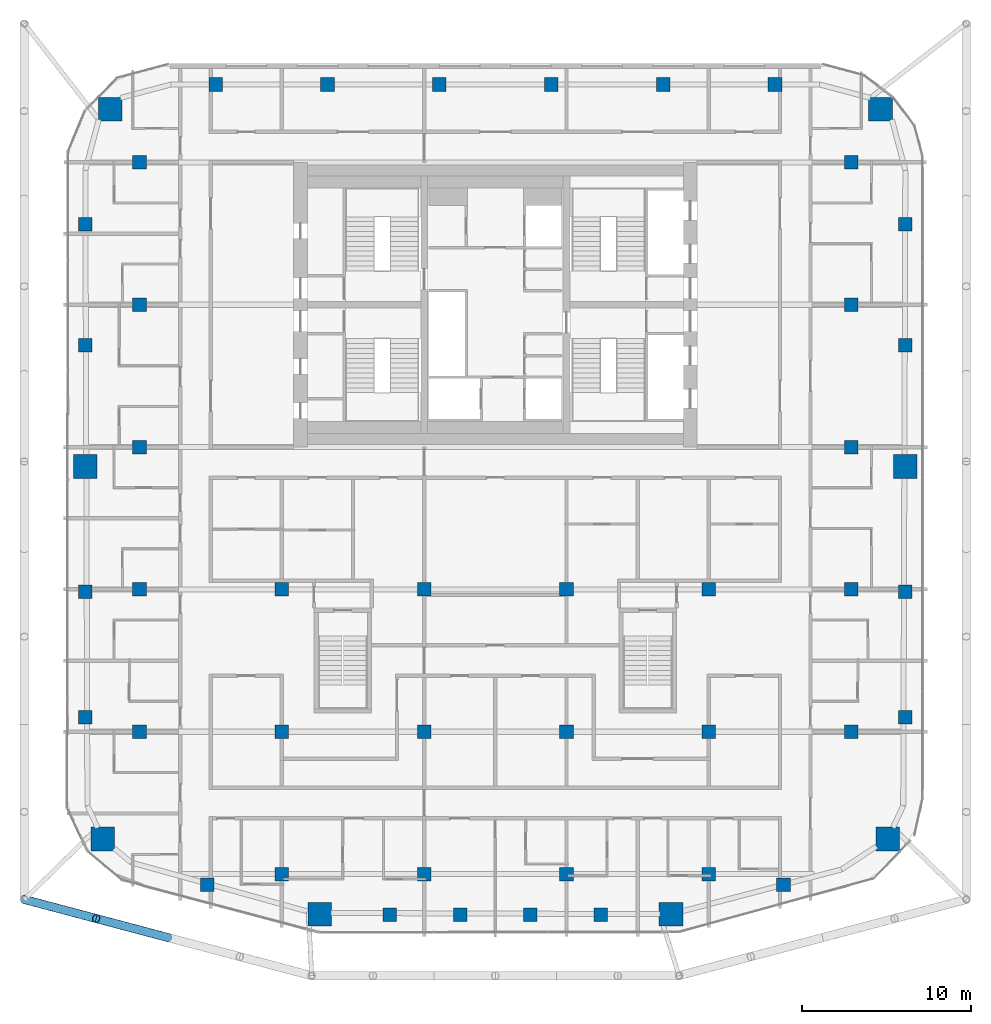
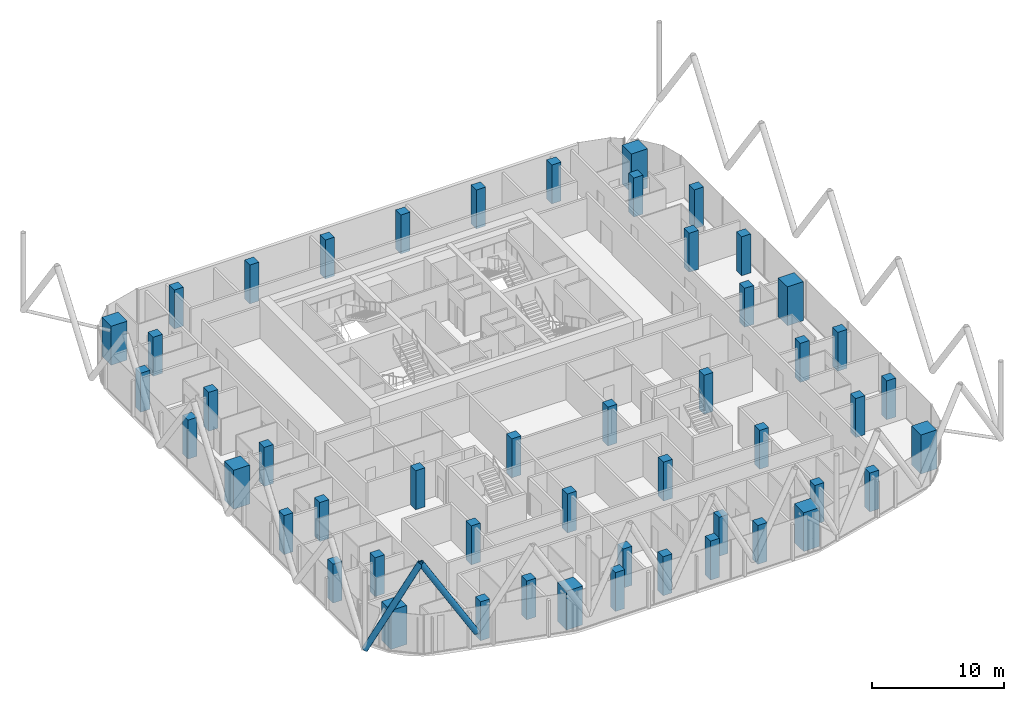
# One storey, part 1 of 28: 50 columns, 2 members.
"""IFC4 building model written with IfcOpenShell, lengths in metres."""

import ifcopenshell
import ifcopenshell.guid

model = None  # the IFC model being written
_history = None  # IfcOwnerHistory: only IFC2X3 demands one
_inside = {}  # id of a spatial element -> (the spatial element, [elements in it])
_under = {}  # id of a project, library or spatial element -> (it, [spatial elements below it])
_declared = {}  # id of a project -> (the project, [libraries it declares])
_typed = {}  # id of a type object -> (the type object, [elements of that type])
_made_of = {}  # id of a material, layer set ... -> (it, [elements and type objects made of it])


def new_model(schema):
    """Start an empty IFC model of exactly this schema.

    Asked for "IFC4X3", IfcOpenShell would pick the latest addendum, in which some entities
    have other attributes; the version numbers below select the first issue.
    IFC2X3 requires an IfcOwnerHistory on every rooted entity: one is made here for all.
    """
    global model, _history
    if schema == "IFC4X3":
        model = ifcopenshell.file(schema_version=(4, 3, 0, 0))
    else:
        model = ifcopenshell.file(schema=schema)
    _inside.clear()
    _under.clear()
    _declared.clear()
    _typed.clear()
    _made_of.clear()
    _history = None
    if model.schema == "IFC2X3":
        org = make("IfcOrganization", Name="unknown")
        user = make(
            "IfcPersonAndOrganization",
            ThePerson=make("IfcPerson", FamilyName="unknown"),
            TheOrganization=org,
        )
        app = make(
            "IfcApplication",
            ApplicationDeveloper=org,
            Version="unknown",
            ApplicationFullName="unknown",
            ApplicationIdentifier="unknown",
        )
        _history = make(
            "IfcOwnerHistory",
            OwningUser=user,
            OwningApplication=app,
            ChangeAction="ADDED",
            CreationDate=0,
        )
    return model


def make(cls, **values):
    """One entity of the class cls with the attributes given. An attribute that is None is left unset."""
    return model.create_entity(
        cls, **{name: value for name, value in values.items() if value is not None}
    )


def rooted(cls, **values):
    """An entity with a GlobalId (a new one), such as an element, a storey or a relation."""
    return make(cls, GlobalId=ifcopenshell.guid.new(), OwnerHistory=_history, **values)


def si_unit(unit_type, name, prefix=None):
    """IfcSIUnit, for example si_unit("LENGTHUNIT", "METRE", prefix="MILLI")."""
    return make("IfcSIUnit", UnitType=unit_type, Prefix=prefix, Name=name)


def assignment(units):
    """IfcUnitAssignment: the units of a project."""
    return None if units is None else make("IfcUnitAssignment", Units=units)


def point(xyz):
    """IfcCartesianPoint."""
    return None if xyz is None else make("IfcCartesianPoint", Coordinates=xyz)


def direction(xyz):
    """IfcDirection."""
    return None if xyz is None else make("IfcDirection", DirectionRatios=xyz)


def frame(location, z_axis=None, x_axis=None):
    """IfcAxis2Placement3D, a coordinate frame: its origin and axes. An axis left out is left unset."""
    return make(
        "IfcAxis2Placement3D",
        Location=point(location),
        Axis=direction(z_axis),
        RefDirection=direction(x_axis),
    )


def frame_2d(location, x_axis=None):
    """IfcAxis2Placement2D, a coordinate frame in the plane: its origin and x axis."""
    return make(
        "IfcAxis2Placement2D", Location=point(location), RefDirection=direction(x_axis)
    )


def origin():
    """The frame at (0, 0, 0) with its axes left unset."""
    return frame((0.0, 0.0, 0.0))


def origin_2d():
    """The frame at (0, 0) in the plane with its x axis left unset."""
    return frame_2d((0.0, 0.0))


def place(relative_to, where):
    """IfcLocalPlacement: puts the frame where relative to a parent placement (None: the world)."""
    return make(
        "IfcLocalPlacement", PlacementRelTo=relative_to, RelativePlacement=where
    )


def context(
    kind, dimensions, precision=None, world=None, true_north=None, identifier=None
):
    """IfcGeometricRepresentationContext, for example the 3D "Model" context."""
    return make(
        "IfcGeometricRepresentationContext",
        ContextIdentifier=identifier,
        ContextType=kind,
        CoordinateSpaceDimension=dimensions,
        Precision=precision,
        WorldCoordinateSystem=world,
        TrueNorth=true_north,
    )


def subcontext(parent, identifier, kind, view, scale=None):
    """IfcGeometricRepresentationSubContext, for example "Body" below "Model"."""
    return make(
        "IfcGeometricRepresentationSubContext",
        ContextIdentifier=identifier,
        ContextType=kind,
        ParentContext=parent,
        TargetScale=scale,
        TargetView=view,
    )


def project(units=None, contexts=None):
    """IfcProject with its units and contexts."""
    return rooted(
        "IfcProject",
        Name="project",
        RepresentationContexts=contexts,
        UnitsInContext=assignment(units),
    )


def spatial(cls, under=None, at=None, **own):
    """A site, building, storey or space (cls), placed at a placement, below another one or the project."""
    s = rooted(cls, ObjectPlacement=at, **own)
    if under is not None:
        _under.setdefault(under.id(), (under, []))[1].append(s)
    return s


def profile(cls, at=None, kind="AREA", **sizes):
    """A parametric profile (cls). Its sizes go by their IFC names, for example OverallWidth=200.0."""
    return make(cls, ProfileType=kind, Position=at, **sizes)


def rectangle(**sizes):
    """IfcRectangleProfileDef."""
    return profile("IfcRectangleProfileDef", **sizes)


def hollow_circle(**sizes):
    """IfcCircleHollowProfileDef."""
    return profile("IfcCircleHollowProfileDef", **sizes)


def extrude(swept, where, along, depth):
    """IfcExtrudedAreaSolid: the profile swept, set in the frame where, extruded along a direction by depth."""
    return make(
        "IfcExtrudedAreaSolid",
        SweptArea=swept,
        Position=where,
        ExtrudedDirection=direction(along),
        Depth=depth,
    )


def shape(context_of_items, identifier, shape_type, items):
    """IfcShapeRepresentation: the items that make up one representation, for example the "Body"."""
    return make(
        "IfcShapeRepresentation",
        ContextOfItems=context_of_items,
        RepresentationIdentifier=identifier,
        RepresentationType=shape_type,
        Items=items,
    )


def material(Name=None, Category=None):
    """IfcMaterial."""
    return make("IfcMaterial", Name=Name, Category=Category)


def material_profile(
    of_material, cross_section, Name=None, Category=None, Priority=None
):
    """IfcMaterialProfile: a cross section and its material."""
    return make(
        "IfcMaterialProfile",
        Name=Name,
        Material=of_material,
        Profile=cross_section,
        Priority=Priority,
        Category=Category,
    )


def profile_set(profiles, Name=None, composite=None):
    """IfcMaterialProfileSet."""
    return make(
        "IfcMaterialProfileSet",
        Name=Name,
        MaterialProfiles=profiles,
        CompositeProfile=composite,
    )


def made_of(thing, what):
    """Note that an element or type object is made of a material, layer set ...; save() writes the relation."""
    if what is not None:
        _made_of.setdefault(what.id(), (what, []))[1].append(thing)
    return thing


def type_object(cls, material=None, **own):
    """A type object (cls), such as IfcWallType, which elements share."""
    return made_of(rooted(cls, **own), material)


def element(
    cls,
    number,
    at=None,
    inside=None,
    cuts=None,
    type_object=None,
    material=None,
    context=None,
    identifier="Body",
    shape_type=None,
    held_by="IfcProductDefinitionShape",
    body=None,
    shapes=None,
    **own,
):
    """One element of the class cls, such as IfcWall. Its Tag is "e" and its number.

    at: its placement. inside: the storey or other place that contains it. cuts: it is an
    opening in that element (IfcRelVoidsElement). A single representation is given by context,
    identifier, shape_type and body (its items); several are given by shapes. held_by: the class
    of the entity that holds the representations. save() writes the other relations.
    """
    e = rooted(cls, Tag="e%d" % number, ObjectPlacement=at, **own)
    if body is not None:
        shapes = [shape(context, identifier, shape_type, body)]
    if shapes is not None:
        e.Representation = make(held_by, Representations=shapes)
    if inside is not None:
        _inside.setdefault(inside.id(), (inside, []))[1].append(e)
    if cuts is not None:
        rooted(
            "IfcRelVoidsElement", RelatingBuildingElement=cuts, RelatedOpeningElement=e
        )
    if type_object is not None:
        _typed.setdefault(type_object.id(), (type_object, []))[1].append(e)
    return made_of(e, material)


def aggregate(whole, parts):
    """IfcRelAggregates: a whole, such as a stair, and the parts it consists of."""
    return rooted("IfcRelAggregates", RelatingObject=whole, RelatedObjects=parts)


def save(model, path):
    """Write the relations noted so far, then the file.

    IfcRelAggregates (storeys below a building ...), IfcRelContainedInSpatialStructure (elements
    in a storey), IfcRelDefinesByType, IfcRelAssociatesMaterial and IfcRelDeclares: one each for
    every whole, place, type object, material and project.
    """
    for whole, parts in _under.values():
        aggregate(whole, parts)
    for where, things in _inside.values():
        rooted(
            "IfcRelContainedInSpatialStructure",
            RelatedElements=things,
            RelatingStructure=where,
        )
    for kind, things in _typed.values():
        rooted("IfcRelDefinesByType", RelatedObjects=things, RelatingType=kind)
    for what, things in _made_of.values():
        rooted("IfcRelAssociatesMaterial", RelatedObjects=things, RelatingMaterial=what)
    for by, libraries in _declared.values():
        rooted("IfcRelDeclares", RelatingContext=by, RelatedDefinitions=libraries)
    model.write(path)


model = new_model("IFC4")

# Units and contexts
model_context = context("Model", 3, precision=1e-05, world=origin(), true_north=direction((0.0, 1.0)))
body_context = subcontext(model_context, "Body", "Model", "MODEL_VIEW")
ifc_project = project(units=[si_unit("LENGTHUNIT", "METRE"), si_unit("AREAUNIT", "SQUARE_METRE"), si_unit("VOLUMEUNIT", "CUBIC_METRE"), si_unit("PLANEANGLEUNIT", "RADIAN"), si_unit("MASSUNIT", "GRAM", prefix="KILO")], contexts=[model_context])

# Site, building, storey
site_placement = place(None, origin())
site = spatial("IfcSite", under=ifc_project, at=site_placement, CompositionType="ELEMENT")
building_placement = place(site_placement, origin())
building = spatial("IfcBuilding", under=site, at=building_placement, Name="Marenta Gate Hotel Tower", CompositionType="ELEMENT")
storey_placement = place(building_placement, frame((0.0, 0.0, 227.300048828125)))
storey = spatial("IfcBuildingStorey", under=building, at=storey_placement, Name="L53", CompositionType="ELEMENT", Elevation=227.300048828125)

# Columns
ifc_material_1 = material(Name="Concrete C60", Category="concrete")
ifc_material_profile_1 = material_profile(ifc_material_1, rectangle(XDim=0.800048828125, YDim=0.800048828125, at=origin_2d()), Name="800 x 800")
ifc_profile_set_1 = profile_set([ifc_material_profile_1], Name="Concrete C60")
column_type_1 = type_object("IfcColumnType", Name="Edge column 800 x 800 C60", PredefinedType="COLUMN", material=ifc_profile_set_1)
for number, where, z_axis, x_axis, name in (
    (1, (-24.199951171875, -15.951904296875, 0.0), (0.0, 0.0, 1.0), (1.0, 0.0, 0.0), "L53-EC-SW-W-1"),
    (2, (-24.199951171875, -8.55078125, 0.0), (0.0, 0.0, 1.0), (1.0, 0.0, 0.0), "L53-EC-SW-W-2"),
    (3, (-24.199951171875, 6.003173828125, 0.0), (0.0, 0.0, 1.0), (1.0, 0.0, 0.0), "L53-EC-W-NW-1"),
    (4, (-24.199951171875, 13.156494140625, 0.0), (0.0, 0.0, 1.0), (1.0, 0.0, 0.0), "L53-EC-W-NW-2"),
    (5, (-16.5068359375, 21.39990234375, 0.0), (0.0, 0.0, 1.0), (1.0, 0.0, 0.0), "L53-EC-NW-NE-1"),
    (6, (-9.904052734375, 21.39990234375, 0.0), (0.0, 0.0, 1.0), (1.0, 0.0, 0.0), "L53-EC-NW-NE-2"),
    (7, (-3.301513671875, 21.39990234375, 0.0), (0.0, 0.0, 1.0), (1.0, 0.0, 0.0), "L53-EC-NW-NE-3"),
    (8, (3.301513671875, 21.39990234375, 0.0), (0.0, 0.0, 1.0), (1.0, 0.0, 0.0), "L53-EC-NW-NE-4"),
    (9, (9.904052734375, 21.39990234375, 0.0), (0.0, 0.0, 1.0), (1.0, 0.0, 0.0), "L53-EC-NW-NE-5"),
    (10, (16.5068359375, 21.39990234375, 0.0), (0.0, 0.0, 1.0), (1.0, 0.0, 0.0), "L53-EC-NW-NE-6"),
    (11, (24.199951171875, 13.156494140625, 0.0), (0.0, 0.0, 1.0), (1.0, 0.0, 0.0), "L53-EC-NE-E-1"),
    (12, (24.199951171875, 6.003173828125, 0.0), (0.0, 0.0, 1.0), (1.0, 0.0, 0.0), "L53-EC-NE-E-2"),
    (13, (24.199951171875, -8.55078125, 0.0), (0.0, 0.0, 1.0), (1.0, 0.0, 0.0), "L53-EC-E-SE-1"),
    (14, (24.199951171875, -15.951904296875, 0.0), (0.0, 0.0, 1.0), (1.0, 0.0, 0.0), "L53-EC-E-SE-2"),
    (15, (17.0068359375, -25.839111328125, 0.0), (0.0, 0.0, 1.0), (1.0, 0.0, 0.0), "L53-EC-SE-SKE-1"),
    (16, (6.22021484375, -27.60009765625, 0.0), (0.0, 0.0, 1.0), (1.0, 0.0, 0.0), "L53-EC-SKE-SKW-1"),
    (17, (2.073486328125, -27.60009765625, 0.0), (0.0, 0.0, 1.0), (1.0, 0.0, 0.0), "L53-EC-SKE-SKW-2"),
    (18, (-2.073486328125, -27.60009765625, 0.0), (0.0, 0.0, 1.0), (1.0, 0.0, 0.0), "L53-EC-SKE-SKW-3"),
    (19, (-6.22021484375, -27.60009765625, 0.0), (0.0, 0.0, 1.0), (1.0, 0.0, 0.0), "L53-EC-SKE-SKW-4"),
    (20, (-17.0068359375, -25.839111328125, 0.0), (0.0, 0.0, 1.0), (1.0, 0.0, 0.0), "L53-EC-SKW-SW-1"),
):
    element("IfcColumn", number, at=place(storey_placement, frame(where, z_axis=z_axis, x_axis=x_axis)), inside=storey, type_object=column_type_1, Name=name, PredefinedType="COLUMN", context=body_context, shape_type="SweptSolid", body=[
        extrude(rectangle(XDim=0.800048828125, YDim=0.800048828125, at=origin_2d()), origin(), (0.0, 0.0, 1.0), 3.599853515625),
    ])
ifc_material_2 = material(Name="Concrete C60", Category="concrete")
ifc_material_profile_2 = material_profile(ifc_material_2, rectangle(XDim=0.800048828125, YDim=0.800048828125, at=origin_2d()), Name="800 x 800")
ifc_profile_set_2 = profile_set([ifc_material_profile_2], Name="Concrete C60")
column_type_2 = type_object("IfcColumnType", Name="Interior column 800 x 800 C60", PredefinedType="COLUMN", material=ifc_profile_set_2)
for number, where, z_axis, x_axis, name in (
    (21, (-21.0, -16.800048828125, 0.0), (0.0, 0.0, 1.0), (1.0, 0.0, 0.0), "L53-IC-4D"),
    (22, (-21.0, -8.39990234375, 0.0), (0.0, 0.0, 1.0), (1.0, 0.0, 0.0), "L53-IC-4E"),
    (23, (-21.0, 0.0, 0.0), (0.0, 0.0, 1.0), (1.0, 0.0, 0.0), "L53-IC-4F"),
    (24, (-21.0, 8.39990234375, 0.0), (0.0, 0.0, 1.0), (1.0, 0.0, 0.0), "L53-IC-4G"),
    (25, (-21.0, 16.800048828125, 0.0), (0.0, 0.0, 1.0), (1.0, 0.0, 0.0), "L53-IC-4H"),
    (26, (-12.60009765625, -25.199951171875, 0.0), (0.0, 0.0, 1.0), (1.0, 0.0, 0.0), "L53-IC-5C"),
    (27, (-12.60009765625, -16.800048828125, 0.0), (0.0, 0.0, 1.0), (1.0, 0.0, 0.0), "L53-IC-5D"),
    (28, (-12.60009765625, -8.39990234375, 0.0), (0.0, 0.0, 1.0), (1.0, 0.0, 0.0), "L53-IC-5E"),
    (29, (-4.199951171875, -25.199951171875, 0.0), (0.0, 0.0, 1.0), (1.0, 0.0, 0.0), "L53-IC-6C"),
    (30, (-4.199951171875, -16.800048828125, 0.0), (0.0, 0.0, 1.0), (1.0, 0.0, 0.0), "L53-IC-6D"),
    (31, (-4.199951171875, -8.39990234375, 0.0), (0.0, 0.0, 1.0), (1.0, 0.0, 0.0), "L53-IC-6E"),
    (32, (4.199951171875, -25.199951171875, 0.0), (0.0, 0.0, 1.0), (1.0, 0.0, 0.0), "L53-IC-7C"),
    (33, (4.199951171875, -16.800048828125, 0.0), (0.0, 0.0, 1.0), (1.0, 0.0, 0.0), "L53-IC-7D"),
    (34, (4.199951171875, -8.39990234375, 0.0), (0.0, 0.0, 1.0), (1.0, 0.0, 0.0), "L53-IC-7E"),
    (35, (12.60009765625, -25.199951171875, 0.0), (0.0, 0.0, 1.0), (1.0, 0.0, 0.0), "L53-IC-8C"),
    (36, (12.60009765625, -16.800048828125, 0.0), (0.0, 0.0, 1.0), (1.0, 0.0, 0.0), "L53-IC-8D"),
    (37, (12.60009765625, -8.39990234375, 0.0), (0.0, 0.0, 1.0), (1.0, 0.0, 0.0), "L53-IC-8E"),
    (38, (21.0, -16.800048828125, 0.0), (0.0, 0.0, 1.0), (1.0, 0.0, 0.0), "L53-IC-9D"),
    (39, (21.0, -8.39990234375, 0.0), (0.0, 0.0, 1.0), (1.0, 0.0, 0.0), "L53-IC-9E"),
    (40, (21.0, 0.0, 0.0), (0.0, 0.0, 1.0), (1.0, 0.0, 0.0), "L53-IC-9F"),
    (41, (21.0, 8.39990234375, 0.0), (0.0, 0.0, 1.0), (1.0, 0.0, 0.0), "L53-IC-9G"),
    (42, (21.0, 16.800048828125, 0.0), (0.0, 0.0, 1.0), (1.0, 0.0, 0.0), "L53-IC-9H"),
):
    element("IfcColumn", number, at=place(storey_placement, frame(where, z_axis=z_axis, x_axis=x_axis)), inside=storey, type_object=column_type_2, Name=name, PredefinedType="COLUMN", context=body_context, shape_type="SweptSolid", body=[
        extrude(rectangle(XDim=0.800048828125, YDim=0.800048828125, at=origin_2d()), origin(), (0.0, 0.0, 1.0), 3.599853515625),
    ])
ifc_material_3 = material(Name="Concrete C60", Category="concrete")
ifc_material_profile_3 = material_profile(ifc_material_3, rectangle(XDim=1.39990234375, YDim=1.39990234375, at=origin_2d()), Name="1400 x 1400")
ifc_profile_set_3 = profile_set([ifc_material_profile_3], Name="Concrete C60")
column_type_3 = type_object("IfcColumnType", Name="Mega column 1400 x 1400 C60", PredefinedType="COLUMN", material=ifc_profile_set_3)
for number, where, z_axis, x_axis, name in (
    (43, (-23.1630859375, -23.133056640625, 0.0), (0.0, 0.0, 1.0), (1.0, 0.0, 0.0), "L53-MC-SW"),
    (44, (-10.3662109375, -27.57470703125, 0.0), (0.0, 0.0, 1.0), (1.0, 0.0, 0.0), "L53-MC-SKW"),
    (45, (10.3662109375, -27.57470703125, 0.0), (0.0, 0.0, 1.0), (1.0, 0.0, 0.0), "L53-MC-SKE"),
    (46, (23.1630859375, -23.133056640625, 0.0), (0.0, 0.0, 1.0), (1.0, 0.0, 0.0), "L53-MC-SE"),
    (47, (24.199951171875, -1.14990234375, 0.0), (0.0, 0.0, 1.0), (1.0, 0.0, 0.0), "L53-MC-E"),
    (48, (22.735595703125, 19.935546875, 0.0), (0.0, 0.0, 1.0), (1.0, 0.0, 0.0), "L53-MC-NE"),
    (49, (-22.735595703125, 19.935546875, 0.0), (0.0, 0.0, 1.0), (1.0, 0.0, 0.0), "L53-MC-NW"),
    (50, (-24.199951171875, -1.14990234375, 0.0), (0.0, 0.0, 1.0), (1.0, 0.0, 0.0), "L53-MC-W"),
):
    element("IfcColumn", number, at=place(storey_placement, frame(where, z_axis=z_axis, x_axis=x_axis)), inside=storey, type_object=column_type_3, Name=name, PredefinedType="COLUMN", context=body_context, shape_type="SweptSolid", body=[
        extrude(rectangle(XDim=1.39990234375, YDim=1.39990234375, at=origin_2d()), origin(), (0.0, 0.0, 1.0), 3.599853515625),
    ])

# Members
ifc_material_4 = material(Name="Steel S355J2W", Category="steel")
ifc_material_profile_4 = material_profile(ifc_material_4, hollow_circle(Radius=0.25390625, WallThickness=0.02490234375, at=origin_2d()), Name="CHS 508x25")
ifc_profile_set_4 = profile_set([ifc_material_profile_4], Name="Steel S355J2W")
member_type = type_object("IfcMemberType", Name="Diagrid diagonal Z3 CHS 508x25", PredefinedType="BRACE", material=ifc_profile_set_4)
for number, where, z_axis, x_axis, name in (
    (51, (-19.319580078125, -28.9501953125, 3.139892578125), (-0.502924018666, 0.133433548941, 0.853968921838), (-0.256443187528, -0.96655930577, 0.0), "L53-DG-23"),
    (52, (-27.800048828125, -26.7001953125, 3.139892578125), (0.502924018666, -0.133433548941, 0.853968921838), (0.256443187528, 0.96655930577, 0.0), "L53-DG-24"),
):
    element("IfcMember", number, at=place(storey_placement, frame(where, z_axis=z_axis, x_axis=x_axis)), inside=storey, type_object=member_type, Name=name, PredefinedType="BRACE", context=body_context, shape_type="SweptSolid", body=[
        extrude(hollow_circle(Radius=0.25390625, WallThickness=0.02490234375, at=origin_2d()), origin(), (0.0, 0.0, 1.0), 8.43115234375),
    ])

save(model, "model.ifc")
